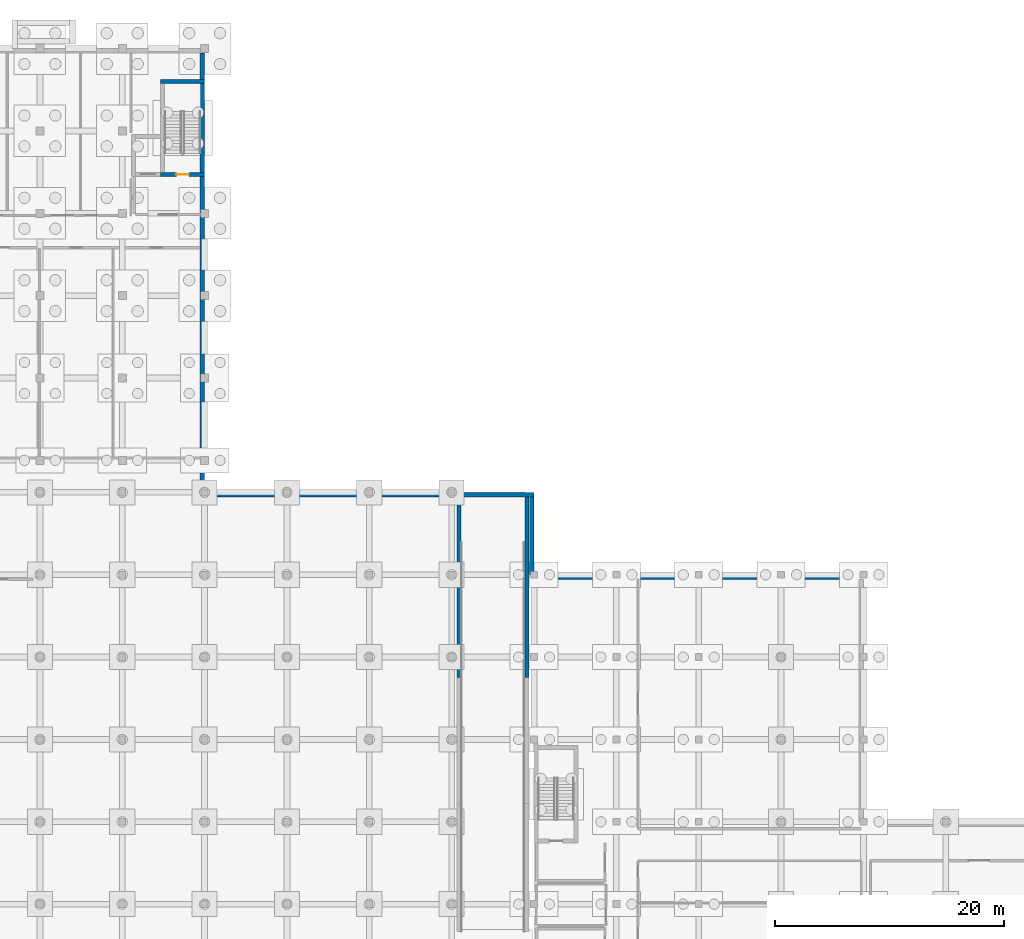
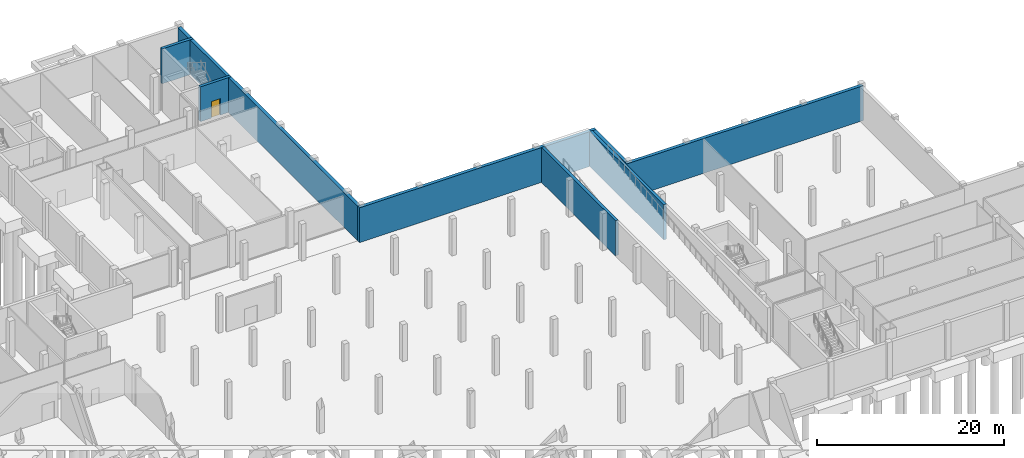
# One storey, part 23 of 35: 8 walls, 1 door, 1 opening.
"""IFC4 building model written with IfcOpenShell, lengths in metres."""

import ifcopenshell
import ifcopenshell.guid

model = None  # the IFC model being written
_history = None  # IfcOwnerHistory: only IFC2X3 demands one
_inside = {}  # id of a spatial element -> (the spatial element, [elements in it])
_under = {}  # id of a project, library or spatial element -> (it, [spatial elements below it])
_declared = {}  # id of a project -> (the project, [libraries it declares])
_typed = {}  # id of a type object -> (the type object, [elements of that type])
_made_of = {}  # id of a material, layer set ... -> (it, [elements and type objects made of it])


def new_model(schema):
    """Start an empty IFC model of exactly this schema.

    Asked for "IFC4X3", IfcOpenShell would pick the latest addendum, in which some entities
    have other attributes; the version numbers below select the first issue.
    IFC2X3 requires an IfcOwnerHistory on every rooted entity: one is made here for all.
    """
    global model, _history
    if schema == "IFC4X3":
        model = ifcopenshell.file(schema_version=(4, 3, 0, 0))
    else:
        model = ifcopenshell.file(schema=schema)
    _inside.clear()
    _under.clear()
    _declared.clear()
    _typed.clear()
    _made_of.clear()
    _history = None
    if model.schema == "IFC2X3":
        org = make("IfcOrganization", Name="unknown")
        user = make(
            "IfcPersonAndOrganization",
            ThePerson=make("IfcPerson", FamilyName="unknown"),
            TheOrganization=org,
        )
        app = make(
            "IfcApplication",
            ApplicationDeveloper=org,
            Version="unknown",
            ApplicationFullName="unknown",
            ApplicationIdentifier="unknown",
        )
        _history = make(
            "IfcOwnerHistory",
            OwningUser=user,
            OwningApplication=app,
            ChangeAction="ADDED",
            CreationDate=0,
        )
    return model


def make(cls, **values):
    """One entity of the class cls with the attributes given. An attribute that is None is left unset."""
    return model.create_entity(
        cls, **{name: value for name, value in values.items() if value is not None}
    )


def rooted(cls, **values):
    """An entity with a GlobalId (a new one), such as an element, a storey or a relation."""
    return make(cls, GlobalId=ifcopenshell.guid.new(), OwnerHistory=_history, **values)


def si_unit(unit_type, name, prefix=None):
    """IfcSIUnit, for example si_unit("LENGTHUNIT", "METRE", prefix="MILLI")."""
    return make("IfcSIUnit", UnitType=unit_type, Prefix=prefix, Name=name)


def assignment(units):
    """IfcUnitAssignment: the units of a project."""
    return None if units is None else make("IfcUnitAssignment", Units=units)


def point(xyz):
    """IfcCartesianPoint."""
    return None if xyz is None else make("IfcCartesianPoint", Coordinates=xyz)


def direction(xyz):
    """IfcDirection."""
    return None if xyz is None else make("IfcDirection", DirectionRatios=xyz)


def frame(location, z_axis=None, x_axis=None):
    """IfcAxis2Placement3D, a coordinate frame: its origin and axes. An axis left out is left unset."""
    return make(
        "IfcAxis2Placement3D",
        Location=point(location),
        Axis=direction(z_axis),
        RefDirection=direction(x_axis),
    )


def frame_2d(location, x_axis=None):
    """IfcAxis2Placement2D, a coordinate frame in the plane: its origin and x axis."""
    return make(
        "IfcAxis2Placement2D", Location=point(location), RefDirection=direction(x_axis)
    )


def origin():
    """The frame at (0, 0, 0) with its axes left unset."""
    return frame((0.0, 0.0, 0.0))


def place(relative_to, where):
    """IfcLocalPlacement: puts the frame where relative to a parent placement (None: the world)."""
    return make(
        "IfcLocalPlacement", PlacementRelTo=relative_to, RelativePlacement=where
    )


def context(
    kind, dimensions, precision=None, world=None, true_north=None, identifier=None
):
    """IfcGeometricRepresentationContext, for example the 3D "Model" context."""
    return make(
        "IfcGeometricRepresentationContext",
        ContextIdentifier=identifier,
        ContextType=kind,
        CoordinateSpaceDimension=dimensions,
        Precision=precision,
        WorldCoordinateSystem=world,
        TrueNorth=true_north,
    )


def subcontext(parent, identifier, kind, view, scale=None):
    """IfcGeometricRepresentationSubContext, for example "Body" below "Model"."""
    return make(
        "IfcGeometricRepresentationSubContext",
        ContextIdentifier=identifier,
        ContextType=kind,
        ParentContext=parent,
        TargetScale=scale,
        TargetView=view,
    )


def project(units=None, contexts=None):
    """IfcProject with its units and contexts."""
    return rooted(
        "IfcProject",
        Name="project",
        RepresentationContexts=contexts,
        UnitsInContext=assignment(units),
    )


def spatial(cls, under=None, at=None, **own):
    """A site, building, storey or space (cls), placed at a placement, below another one or the project."""
    s = rooted(cls, ObjectPlacement=at, **own)
    if under is not None:
        _under.setdefault(under.id(), (under, []))[1].append(s)
    return s


def profile(cls, at=None, kind="AREA", **sizes):
    """A parametric profile (cls). Its sizes go by their IFC names, for example OverallWidth=200.0."""
    return make(cls, ProfileType=kind, Position=at, **sizes)


def rectangle(**sizes):
    """IfcRectangleProfileDef."""
    return profile("IfcRectangleProfileDef", **sizes)


def extrude(swept, where, along, depth):
    """IfcExtrudedAreaSolid: the profile swept, set in the frame where, extruded along a direction by depth."""
    return make(
        "IfcExtrudedAreaSolid",
        SweptArea=swept,
        Position=where,
        ExtrudedDirection=direction(along),
        Depth=depth,
    )


def shape(context_of_items, identifier, shape_type, items):
    """IfcShapeRepresentation: the items that make up one representation, for example the "Body"."""
    return make(
        "IfcShapeRepresentation",
        ContextOfItems=context_of_items,
        RepresentationIdentifier=identifier,
        RepresentationType=shape_type,
        Items=items,
    )


def material(Name=None, Category=None):
    """IfcMaterial."""
    return make("IfcMaterial", Name=Name, Category=Category)


def layer(
    of_material, thickness, ventilated=None, Name=None, Category=None, Priority=None
):
    """IfcMaterialLayer: one layer of a wall or slab, of a material (None: an air gap)."""
    return make(
        "IfcMaterialLayer",
        Material=of_material,
        LayerThickness=thickness,
        IsVentilated=ventilated,
        Name=Name,
        Category=Category,
        Priority=Priority,
    )


def layer_set(layers, Name=None):
    """IfcMaterialLayerSet."""
    return make("IfcMaterialLayerSet", MaterialLayers=layers, LayerSetName=Name)


def made_of(thing, what):
    """Note that an element or type object is made of a material, layer set ...; save() writes the relation."""
    if what is not None:
        _made_of.setdefault(what.id(), (what, []))[1].append(thing)
    return thing


def type_object(cls, material=None, **own):
    """A type object (cls), such as IfcWallType, which elements share."""
    return made_of(rooted(cls, **own), material)


def element(
    cls,
    number,
    at=None,
    inside=None,
    cuts=None,
    type_object=None,
    material=None,
    context=None,
    identifier="Body",
    shape_type=None,
    held_by="IfcProductDefinitionShape",
    body=None,
    shapes=None,
    **own,
):
    """One element of the class cls, such as IfcWall. Its Tag is "e" and its number.

    at: its placement. inside: the storey or other place that contains it. cuts: it is an
    opening in that element (IfcRelVoidsElement). A single representation is given by context,
    identifier, shape_type and body (its items); several are given by shapes. held_by: the class
    of the entity that holds the representations. save() writes the other relations.
    """
    e = rooted(cls, Tag="e%d" % number, ObjectPlacement=at, **own)
    if body is not None:
        shapes = [shape(context, identifier, shape_type, body)]
    if shapes is not None:
        e.Representation = make(held_by, Representations=shapes)
    if inside is not None:
        _inside.setdefault(inside.id(), (inside, []))[1].append(e)
    if cuts is not None:
        rooted(
            "IfcRelVoidsElement", RelatingBuildingElement=cuts, RelatedOpeningElement=e
        )
    if type_object is not None:
        _typed.setdefault(type_object.id(), (type_object, []))[1].append(e)
    return made_of(e, material)


def fill(opening, filler):
    """IfcRelFillsElement: the door or window that sits in an opening."""
    return rooted(
        "IfcRelFillsElement",
        RelatingOpeningElement=opening,
        RelatedBuildingElement=filler,
    )


def aggregate(whole, parts):
    """IfcRelAggregates: a whole, such as a stair, and the parts it consists of."""
    return rooted("IfcRelAggregates", RelatingObject=whole, RelatedObjects=parts)


def save(model, path):
    """Write the relations noted so far, then the file.

    IfcRelAggregates (storeys below a building ...), IfcRelContainedInSpatialStructure (elements
    in a storey), IfcRelDefinesByType, IfcRelAssociatesMaterial and IfcRelDeclares: one each for
    every whole, place, type object, material and project.
    """
    for whole, parts in _under.values():
        aggregate(whole, parts)
    for where, things in _inside.values():
        rooted(
            "IfcRelContainedInSpatialStructure",
            RelatedElements=things,
            RelatingStructure=where,
        )
    for kind, things in _typed.values():
        rooted("IfcRelDefinesByType", RelatedObjects=things, RelatingType=kind)
    for what, things in _made_of.values():
        rooted("IfcRelAssociatesMaterial", RelatedObjects=things, RelatingMaterial=what)
    for by, libraries in _declared.values():
        rooted("IfcRelDeclares", RelatingContext=by, RelatedDefinitions=libraries)
    model.write(path)


model = new_model("IFC4")

# Units and contexts
model_context = context("Model", 3, precision=1e-05, world=origin(), true_north=direction((0.0, 1.0)))
body_context = subcontext(model_context, "Body", "Model", "MODEL_VIEW")
ifc_project = project(units=[si_unit("LENGTHUNIT", "METRE"), si_unit("AREAUNIT", "SQUARE_METRE"), si_unit("VOLUMEUNIT", "CUBIC_METRE"), si_unit("PLANEANGLEUNIT", "RADIAN"), si_unit("MASSUNIT", "GRAM", prefix="KILO")], contexts=[model_context])

# Site, building, storey
site_placement = place(None, origin())
site = spatial("IfcSite", under=ifc_project, at=site_placement, CompositionType="ELEMENT")
building_placement = place(site_placement, origin())
building = spatial("IfcBuilding", under=site, at=building_placement, Name="Zarrinpeak Specialist Clinic", CompositionType="ELEMENT")
storey_placement = place(building_placement, frame((0.0, 0.0, -4.800048828125)))
storey = spatial("IfcBuildingStorey", under=building, at=storey_placement, Name="B01", CompositionType="ELEMENT", Elevation=-4.800048828125)

# Wall, opening, door
ifc_material_1 = material(Name="Concrete C40/50", Category="concrete")
ifc_layer_1 = layer(ifc_material_1, 0.35009765625)
ifc_layer_set_1 = layer_set([ifc_layer_1], Name="Concrete C40/50")
wall_type_1 = type_object("IfcWallType", Name="WL-CR350", PredefinedType="SHEAR", material=ifc_layer_set_1)
wall_1_placement = place(storey_placement, frame((60.949951171875, 106.97509765625, 0.0), z_axis=(0.0, 0.0, 1.0), x_axis=(1.0, 0.0, 0.0)))
wall_1 = element("IfcWall", 1, at=wall_1_placement, inside=storey, type_object=wall_type_1, Name="B01 Core C12 Shear Wall STS", PredefinedType="SHEAR", context=body_context, shape_type="SweptSolid", body=[
    extrude(rectangle(XDim=3.85009765625, YDim=0.35009765625, at=frame_2d((1.925048828125, 0.0))), origin(), (0.0, 0.0, 1.0), 4.545166015625),
])
opening_placement = place(wall_1_placement, frame((1.375, 0.0, 0.0)))
opening = element("IfcOpeningElement", 2, at=opening_placement, cuts=wall_1, Name="Opening D-S02", PredefinedType="OPENING", context=body_context, shape_type="SweptSolid", body=[
    extrude(rectangle(XDim=1.10009765625, YDim=2.14990234375, at=frame_2d((0.550048828125, 1.074951171875))), frame((0.0, 0.18505859375, 0.0), z_axis=(0.0, -1.0, 0.0), x_axis=(1.0, 0.0, 0.0)), (0.0, 0.0, 1.0), 0.3701171875),
])
ifc_material_2 = material(Name="Powder-Coated Galvanised Steel", Category="steel")
door_type = type_object("IfcDoorType", Name="DR-FD110", OperationType="SINGLE_SWING_RIGHT", PredefinedType="DOOR", material=ifc_material_2)
door_placement = place(opening_placement, origin())
door = element("IfcDoor", 3, at=door_placement, inside=storey, type_object=door_type, Name="B01 Protected Stair ST-12 Fire Door", OperationType="SINGLE_SWING_RIGHT", OverallHeight=2.14990234375, OverallWidth=1.10009765625, PredefinedType="DOOR", context=body_context, shape_type="SweptSolid", body=[
    extrude(rectangle(XDim=1.10009765625, YDim=2.14990234375, at=frame_2d((0.550048828125, 1.074951171875))), frame((0.0, 0.02490234375, 0.0), z_axis=(0.0, -1.0, 0.0), x_axis=(1.0, 0.0, 0.0)), (0.0, 0.0, 1.0), 0.050048828125),
])
fill(opening, door)

# Walls
wall_2_placement = place(storey_placement, frame((60.949951171875, 115.125, 0.0), z_axis=(0.0, 0.0, 1.0), x_axis=(1.0, 0.0, 0.0)))
element("IfcWall", 4, at=wall_2_placement, inside=storey, type_object=wall_type_1, Name="B01 Core C12 Shear Wall STN", PredefinedType="SHEAR", context=body_context, shape_type="SweptSolid", body=[
    extrude(rectangle(XDim=3.85009765625, YDim=0.35009765625, at=frame_2d((1.925048828125, 0.0))), origin(), (0.0, 0.0, 1.0), 4.545166015625),
])
ifc_layer_2 = layer(ifc_material_1, 0.35009765625)
ifc_layer_set_2 = layer_set([ifc_layer_2], Name="Concrete C40/50")
wall_type_2 = type_object("IfcWallType", Name="WL-RET350", PredefinedType="USERDEFINED", material=ifc_layer_set_2)
for number, where, z_axis, x_axis, name in (
    (5, (87.02490234375, 63.0, 0.0), (0.0, 0.0, 1.0), (0.0, 1.0, 0.0), "B01 Vehicle Ramp Retaining Wall RW-RMP-03"),
    (6, (92.97509765625, 63.0, 0.0), (0.0, 0.0, 1.0), (0.0, 1.0, 0.0), "B01 Vehicle Ramp Retaining Wall RW-RMP-06"),
):
    element("IfcWall", number, at=place(storey_placement, frame(where, z_axis=z_axis, x_axis=x_axis)), inside=storey, type_object=wall_type_2, Name=name, ObjectType="RETAININGWALL", PredefinedType="USERDEFINED", context=body_context, shape_type="SweptSolid", body=[
        extrude(rectangle(XDim=15.800048828125, YDim=0.35009765625, at=frame_2d((7.89990234375, 0.0))), origin(), (0.0, 0.0, 1.0), 4.580078125),
    ])
ifc_layer_3 = layer(ifc_material_1, 0.39990234375)
ifc_layer_set_3 = layer_set([ifc_layer_3], Name="Concrete C40/50")
wall_type_3 = type_object("IfcWallType", Name="WL-RET400", PredefinedType="USERDEFINED", material=ifc_layer_set_3)
wall_3_placement = place(storey_placement, frame((122.39990234375, 71.800048828125, 0.0), z_axis=(0.0, 0.0, 1.0), x_axis=(-1.0, 0.0, 0.0)))
element("IfcWall", 7, at=wall_3_placement, inside=storey, type_object=wall_type_3, Name="B01 Substructure Retaining Wall RW-B01-009", ObjectType="RETAININGWALL", PredefinedType="USERDEFINED", context=body_context, shape_type="SweptSolid", body=[
    extrude(rectangle(XDim=29.199951171875, YDim=0.39990234375, at=frame_2d((14.60009765625, 0.0))), origin(), (0.0, 0.0, 1.0), 4.545166015625),
])
wall_4_placement = place(storey_placement, frame((93.39990234375, 72.0, 0.0), z_axis=(0.0, 0.0, 1.0), x_axis=(0.0, 1.0, 0.0)))
element("IfcWall", 8, at=wall_4_placement, inside=storey, type_object=wall_type_3, Name="B01 Substructure Retaining Wall RW-B01-010", ObjectType="RETAININGWALL", PredefinedType="USERDEFINED", context=body_context, shape_type="SweptSolid", body=[
    extrude(rectangle(XDim=6.800048828125, YDim=0.39990234375, at=frame_2d((3.39990234375, 0.0))), origin(), (0.0, 0.0, 1.0), 4.545166015625),
])
wall_5_placement = place(storey_placement, frame((93.60009765625, 79.0, 0.0), z_axis=(0.0, 0.0, 1.0), x_axis=(-1.0, 0.0, 0.0)))
element("IfcWall", 9, at=wall_5_placement, inside=storey, type_object=wall_type_3, Name="B01 Substructure Retaining Wall RW-B01-011", ObjectType="RETAININGWALL", PredefinedType="USERDEFINED", context=body_context, shape_type="SweptSolid", body=[
    extrude(rectangle(XDim=29.2001953125, YDim=0.39990234375, at=frame_2d((14.60009765625, 0.0))), origin(), (0.0, 0.0, 1.0), 4.545166015625),
])
wall_6_placement = place(storey_placement, frame((64.60009765625, 79.199951171875, 0.0), z_axis=(0.0, 0.0, 1.0), x_axis=(0.0, 1.0, 0.0)))
element("IfcWall", 10, at=wall_6_placement, inside=storey, type_object=wall_type_3, Name="B01 Substructure Retaining Wall RW-B01-012", ObjectType="RETAININGWALL", PredefinedType="USERDEFINED", context=body_context, shape_type="SweptSolid", body=[
    extrude(rectangle(XDim=38.400146484375, YDim=0.39990234375, at=frame_2d((19.2001953125, 0.0))), origin(), (0.0, 0.0, 1.0), 4.545166015625),
])

save(model, "model.ifc")
